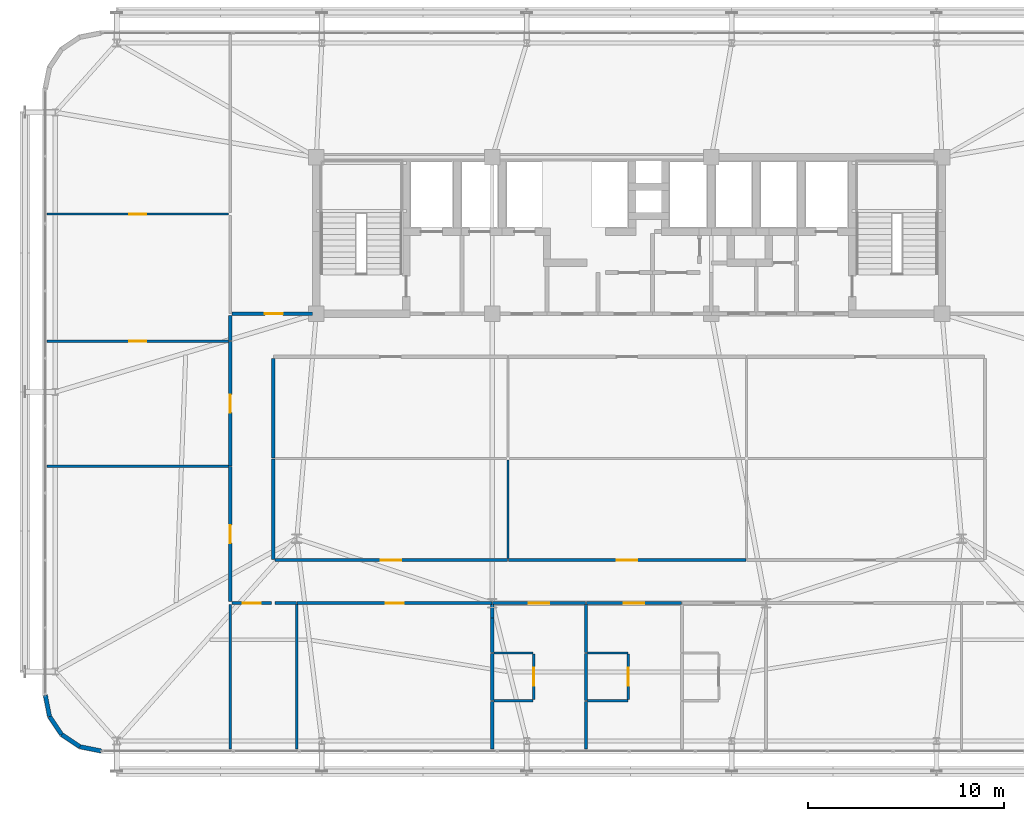
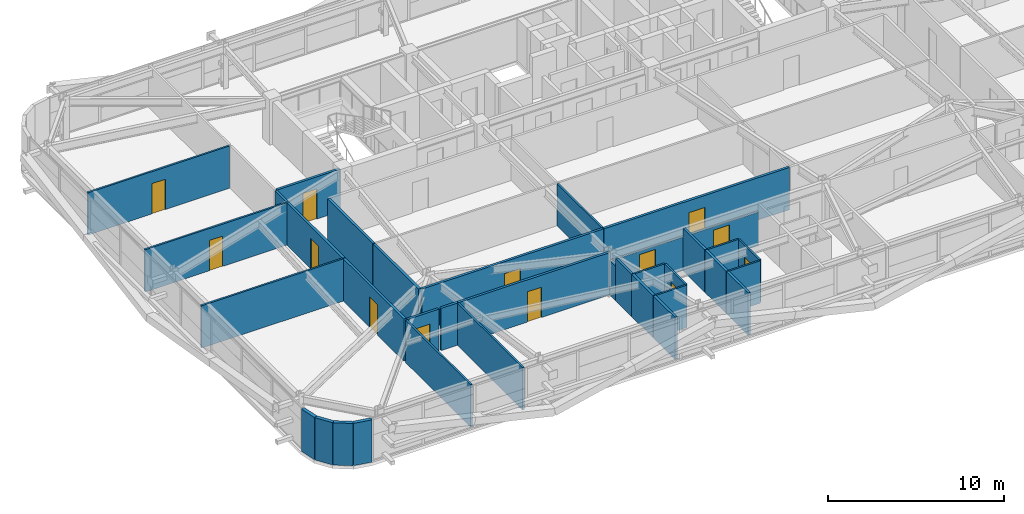
# One storey, part 52 of 59: 36 walls, 13 doors, 13 openings.
"""IFC4 building model written with IfcOpenShell, lengths in metres."""

from ifc_helpers import new_model, si_unit, direction, frame, frame_2d, origin, place, context, subcontext, project, spatial, rectangle, extrude, source, transform, mapped, material, layer, layer_set, type_object, element, fill, save


model = new_model("IFC4")

# Units and contexts
model_context = context("Model", 3, precision=1e-05, world=origin(), true_north=direction((0.0, 1.0)))
body_context = subcontext(model_context, "Body", "Model", "MODEL_VIEW")
ifc_project = project(units=[si_unit("LENGTHUNIT", "METRE"), si_unit("AREAUNIT", "SQUARE_METRE"), si_unit("VOLUMEUNIT", "CUBIC_METRE"), si_unit("PLANEANGLEUNIT", "RADIAN"), si_unit("MASSUNIT", "GRAM", prefix="KILO")], contexts=[model_context])

# Site, building, storey
site_placement = place(None, origin())
site = spatial("IfcSite", under=ifc_project, at=site_placement, CompositionType="ELEMENT")
building_placement = place(site_placement, origin())
building = spatial("IfcBuilding", under=site, at=building_placement, Name="Taldren Reach Tower", CompositionType="ELEMENT")
storey_placement = place(building_placement, frame((0.0, 0.0, 45.14990234375)))
storey = spatial("IfcBuildingStorey", under=building, at=storey_placement, Name="L13", CompositionType="ELEMENT", Elevation=45.14990234375)

# Walls
ifc_material_1 = material(Name="Pale Champagne Anodised Aluminium Cladding", Category="aluminium")
ifc_layer_1 = layer(ifc_material_1, 0.04, Name="Pale Champagne Anodised Aluminium Cladding", Category="aluminium")
ifc_material_2 = material(Name="Mineral Wool Acoustic Insulation", Category="insulation")
ifc_layer_2 = layer(ifc_material_2, 0.06, Name="Mineral Wool Acoustic Insulation", Category="insulation")
ifc_material_3 = material(Name="Steel Gr 350 (C350L0)", Category="steel")
ifc_layer_3 = layer(ifc_material_3, 0.12, Name="Steel Gr 350 (C350L0)", Category="steel")
ifc_layer_set_1 = layer_set([ifc_layer_1, ifc_layer_2, ifc_layer_3], Name="Pale Champagne Aluminium Cladding and Steel Gr 350 Stud Framing")
wall_type_1 = type_object("IfcWallType", Name="EW-CRN-220", PredefinedType="SOLIDWALL", material=ifc_layer_set_1)
shared_shape_1 = source(origin(), body_context, "Body", "SweptSolid", [
    extrude(rectangle(XDim=1.115966796875, YDim=0.219970703125, at=frame_2d((0.55810546875, 0.0))), origin(), (0.0, 0.0, 1.0), 2.93017578125),
])
for number, where, z_axis, x_axis, name in (
    (1, (5.139892578125, 4.5, 0.0), (0.0, 0.0, 1.0), (0.195148375659, -0.98077373103, 0.0), "Rounded-corner pale-metal facade wall L13-SW1"),
    (2, (5.357666015625, 3.405517578125, 0.0), (0.0, 0.0, 1.0), (0.555709556774, -0.83137650226, 0.0), "Rounded-corner pale-metal facade wall L13-SW2"),
    (3, (5.977783203125, 2.477783203125, 0.0), (0.0, 0.0, 1.0), (0.83137650226, -0.555709556774, 0.0), "Rounded-corner pale-metal facade wall L13-SW3"),
    (4, (6.905517578125, 1.857666015625, 0.0), (0.0, 0.0, 1.0), (0.98077373103, -0.195148375659, 0.0), "Rounded-corner pale-metal facade wall L13-SW4"),
):
    element("IfcWall", number, at=place(storey_placement, frame(where, z_axis=z_axis, x_axis=x_axis)), inside=storey, type_object=wall_type_1, Name=name, PredefinedType="SOLIDWALL", context=body_context, shape_type="MappedRepresentation", body=[
        mapped(shared_shape_1, transform((0.0, 0.0, 0.0), scale=1.0)),
    ])

# Wall, opening, door
ifc_material_4 = material(Name="Fire-Rated Acoustic Plasterboard Stud Wall", Category="gypsum")
ifc_layer_4 = layer(ifc_material_4, 0.159912109375)
ifc_layer_set_2 = layer_set([ifc_layer_4], Name="Fire-Rated Acoustic Plasterboard Stud Wall")
wall_type_2 = type_object("IfcWallType", Name="IW-FIRE-160", PredefinedType="PARTITIONING", material=ifc_layer_set_2)
shared_shape_2 = source(origin(), body_context, "Body", "SweptSolid", [
    extrude(rectangle(XDim=4.859375, YDim=0.159912109375, at=frame_2d((2.4296875, 0.0))), origin(), (0.0, 0.0, 1.0), 2.328125),
])
wall_1_placement = place(storey_placement, frame((37.6796875, 9.199951171875, 0.0), z_axis=(0.0, 0.0, 1.0), x_axis=(-1.0, 0.0, 0.0)))
wall_1 = element("IfcWall", 5, at=wall_1_placement, inside=storey, type_object=wall_type_2, Name="Interior Partition Wall W-INT-L13-083", PredefinedType="PARTITIONING", context=body_context, shape_type="MappedRepresentation", body=[
    mapped(shared_shape_2, transform((0.0, 0.0, 0.0), scale=1.0)),
])
shared_shape_3 = source(origin(), body_context, "Body", "SweptSolid", [
    extrude(rectangle(XDim=1.050048828125, YDim=2.10009765625, at=frame_2d((0.52490234375, 1.050048828125))), frame((0.0, 0.08984375, 0.0), z_axis=(0.0, -1.0, 0.0), x_axis=(1.0, 0.0, 0.0)), (0.0, 0.0, 1.0), 0.179931640625),
])
opening_1_placement = place(wall_1_placement, frame((1.90478515625, 0.0, 0.0)))
opening_1 = element("IfcOpeningElement", 6, at=opening_1_placement, cuts=wall_1, Name="Opening DF-105", PredefinedType="OPENING", context=body_context, shape_type="MappedRepresentation", body=[
    mapped(shared_shape_3, transform((0.0, 0.0, 0.0), scale=1.0)),
])
ifc_material_5 = material(Name="Fire-Rated Care and Stair Exit Door")
door_type_1 = type_object("IfcDoorType", Name="ID-FIRE-105", OperationType="NOTDEFINED", PredefinedType="DOOR", material=ifc_material_5)
shared_shape_4 = source(origin(), body_context, "Body", "SweptSolid", [
    extrude(rectangle(XDim=1.050048828125, YDim=2.10009765625, at=frame_2d((0.52490234375, 1.050048828125))), frame((0.0, 0.02490234375, 0.0), z_axis=(0.0, -1.0, 0.0), x_axis=(1.0, 0.0, 0.0)), (0.0, 0.0, 1.0), 0.050048828125),
])
door_1_placement = place(opening_1_placement, origin())
door_1 = element("IfcDoor", 7, at=door_1_placement, inside=storey, type_object=door_type_1, Name="Interior Door DR-L13-029", OperationType="SINGLE_SWING_RIGHT", OverallHeight=2.10009765625, OverallWidth=1.050048828125, PredefinedType="DOOR", context=body_context, shape_type="MappedRepresentation", body=[
    mapped(shared_shape_4, transform((0.0, 0.0, 0.0), scale=1.0)),
])
fill(opening_1, door_1)

# Wall
shared_shape_5 = source(origin(), body_context, "Body", "SweptSolid", [
    extrude(rectangle(XDim=5.15966796875, YDim=0.159912109375, at=frame_2d((2.579833984375, 0.0))), origin(), (0.0, 0.0, 1.0), 2.93017578125),
])
wall_2_placement = place(storey_placement, frame((16.800048828125, 16.579833984375, 0.0), z_axis=(0.0, 0.0, 1.0), x_axis=(0.0, -1.0, 0.0)))
element("IfcWall", 8, at=wall_2_placement, inside=storey, type_object=wall_type_2, Name="Interior Partition Wall W-INT-L13-060", PredefinedType="PARTITIONING", context=body_context, shape_type="MappedRepresentation", body=[
    mapped(shared_shape_5, transform((0.0, 0.0, 0.0), scale=1.0)),
])

# Wall, opening, door
shared_shape_6 = source(origin(), body_context, "Body", "SweptSolid", [
    extrude(rectangle(XDim=12.159423828125, YDim=0.159912109375, at=frame_2d((6.07958984375, 0.0))), origin(), (0.0, 0.0, 1.0), 2.93017578125),
])
wall_3_placement = place(storey_placement, frame((28.8203125, 11.39990234375, 0.0), z_axis=(0.0, 0.0, 1.0), x_axis=(1.0, 0.0, 0.0)))
wall_3 = element("IfcWall", 9, at=wall_3_placement, inside=storey, type_object=wall_type_2, Name="Interior Partition Wall W-INT-L13-078", PredefinedType="PARTITIONING", context=body_context, shape_type="MappedRepresentation", body=[
    mapped(shared_shape_6, transform((0.0, 0.0, 0.0), scale=1.0)),
])
opening_2_placement = place(wall_3_placement, frame((5.5546875, 0.0, 0.0)))
opening_2 = element("IfcOpeningElement", 10, at=opening_2_placement, cuts=wall_3, Name="Opening DF-105", PredefinedType="OPENING", context=body_context, shape_type="MappedRepresentation", body=[
    mapped(shared_shape_3, transform((0.0, 0.0, 0.0), scale=1.0)),
])
door_2_placement = place(opening_2_placement, origin())
door_2 = element("IfcDoor", 11, at=door_2_placement, inside=storey, type_object=door_type_1, Name="Interior Door DR-L13-025", OperationType="SINGLE_SWING_RIGHT", OverallHeight=2.10009765625, OverallWidth=1.050048828125, PredefinedType="DOOR", context=body_context, shape_type="MappedRepresentation", body=[
    mapped(shared_shape_4, transform((0.0, 0.0, 0.0), scale=1.0)),
])
fill(opening_2, door_2)

# Wall
shared_shape_7 = source(origin(), body_context, "Body", "SweptSolid", [
    extrude(rectangle(XDim=5.099853515625, YDim=0.159912109375, at=frame_2d((2.5498046875, 0.0))), origin(), (0.0, 0.0, 1.0), 2.93017578125),
])
wall_4_placement = place(storey_placement, frame((16.800048828125, 21.719970703125, 0.0), z_axis=(0.0, 0.0, 1.0), x_axis=(0.0, -1.0, 0.0)))
element("IfcWall", 12, at=wall_4_placement, inside=storey, type_object=wall_type_2, Name="Interior Partition Wall W-INT-L13-062", PredefinedType="PARTITIONING", context=body_context, shape_type="MappedRepresentation", body=[
    mapped(shared_shape_7, transform((0.0, 0.0, 0.0), scale=1.0)),
])

# Wall, opening, door
shared_shape_8 = source(origin(), body_context, "Body", "SweptSolid", [
    extrude(rectangle(XDim=2.0400390625, YDim=0.159912109375, at=frame_2d((1.02001953125, 0.0))), origin(), (0.0, 0.0, 1.0), 2.93017578125),
])
wall_5_placement = place(storey_placement, frame((16.719970703125, 9.199951171875, 0.0), z_axis=(0.0, 0.0, 1.0), x_axis=(-1.0, 0.0, 0.0)))
wall_5 = element("IfcWall", 13, at=wall_5_placement, inside=storey, type_object=wall_type_2, Name="Interior Partition Wall W-INT-L13-067", PredefinedType="PARTITIONING", context=body_context, shape_type="MappedRepresentation", body=[
    mapped(shared_shape_8, transform((0.0, 0.0, 0.0), scale=1.0)),
])
shared_shape_9 = source(origin(), body_context, "Body", "SweptSolid", [
    extrude(rectangle(XDim=0.919921875, YDim=2.10009765625, at=frame_2d((0.4599609375, 1.050048828125))), frame((0.0, 0.08984375, 0.0), z_axis=(0.0, -1.0, 0.0), x_axis=(1.0, 0.0, 0.0)), (0.0, 0.0, 1.0), 0.179931640625),
])
opening_3_placement = place(wall_5_placement, frame((0.56005859375, 0.0, 0.0)))
opening_3 = element("IfcOpeningElement", 14, at=opening_3_placement, cuts=wall_5, Name="Opening DI-092", PredefinedType="OPENING", context=body_context, shape_type="MappedRepresentation", body=[
    mapped(shared_shape_9, transform((0.0, 0.0, 0.0), scale=1.0)),
])
ifc_material_6 = material(Name="Solid-Core Timber Suite Door", Category="wood")
door_type_2 = type_object("IfcDoorType", Name="ID-INT-092", OperationType="NOTDEFINED", PredefinedType="DOOR", material=ifc_material_6)
shared_shape_10 = source(origin(), body_context, "Body", "SweptSolid", [
    extrude(rectangle(XDim=0.919921875, YDim=2.10009765625, at=frame_2d((0.4599609375, 1.050048828125))), frame((0.0, 0.02490234375, 0.0), z_axis=(0.0, -1.0, 0.0), x_axis=(1.0, 0.0, 0.0)), (0.0, 0.0, 1.0), 0.050048828125),
])
door_3_placement = place(opening_3_placement, origin())
door_3 = element("IfcDoor", 15, at=door_3_placement, inside=storey, type_object=door_type_2, Name="Interior Door DR-L13-017", OperationType="SINGLE_SWING_RIGHT", OverallHeight=2.10009765625, OverallWidth=0.919921875, PredefinedType="DOOR", context=body_context, shape_type="MappedRepresentation", body=[
    mapped(shared_shape_10, transform((0.0, 0.0, 0.0), scale=1.0)),
])
fill(opening_3, door_3)

shared_shape_11 = source(origin(), body_context, "Body", "SweptSolid", [
    extrude(rectangle(XDim=4.130126953125, YDim=0.159912109375, at=frame_2d((2.06494140625, 0.0))), origin(), (0.0, 0.0, 1.0), 2.93017578125),
])
wall_6_placement = place(storey_placement, frame((14.679931640625, 24.0, 0.0), z_axis=(0.0, 0.0, 1.0), x_axis=(1.0, 0.0, 0.0)))
wall_6 = element("IfcWall", 16, at=wall_6_placement, inside=storey, type_object=wall_type_2, Name="Interior Partition Wall W-INT-L13-075", PredefinedType="PARTITIONING", context=body_context, shape_type="MappedRepresentation", body=[
    mapped(shared_shape_11, transform((0.0, 0.0, 0.0), scale=1.0)),
])
opening_4_placement = place(wall_6_placement, frame((1.68994140625, 0.0, 0.0)))
opening_4 = element("IfcOpeningElement", 17, at=opening_4_placement, cuts=wall_6, Name="Opening DI-092", PredefinedType="OPENING", context=body_context, shape_type="MappedRepresentation", body=[
    mapped(shared_shape_9, transform((0.0, 0.0, 0.0), scale=1.0)),
])
door_4_placement = place(opening_4_placement, origin())
door_4 = element("IfcDoor", 18, at=door_4_placement, inside=storey, type_object=door_type_2, Name="Interior Door DR-L13-023", OperationType="SINGLE_SWING_RIGHT", OverallHeight=2.10009765625, OverallWidth=0.919921875, PredefinedType="DOOR", context=body_context, shape_type="MappedRepresentation", body=[
    mapped(shared_shape_10, transform((0.0, 0.0, 0.0), scale=1.0)),
])
fill(opening_4, door_4)

# Wall
shared_shape_12 = source(origin(), body_context, "Body", "SweptSolid", [
    extrude(rectangle(XDim=1.099853515625, YDim=0.159912109375, at=frame_2d((0.5498046875, 0.0))), origin(), (0.0, 0.0, 1.0), 2.93017578125),
])
wall_7_placement = place(storey_placement, frame((17.979736328125, 9.199951171875, 0.0), z_axis=(0.0, 0.0, 1.0), x_axis=(-1.0, 0.0, 0.0)))
element("IfcWall", 19, at=wall_7_placement, inside=storey, type_object=wall_type_2, Name="Interior Partition Wall W-INT-L13-080", PredefinedType="PARTITIONING", context=body_context, shape_type="MappedRepresentation", body=[
    mapped(shared_shape_12, transform((0.0, 0.0, 0.0), scale=1.0)),
])

# Wall, opening, door
shared_shape_13 = source(origin(), body_context, "Body", "SweptSolid", [
    extrude(rectangle(XDim=9.95947265625, YDim=0.159912109375, at=frame_2d((4.979736328125, 0.0))), origin(), (0.0, 0.0, 1.0), 2.93017578125),
])
wall_8_placement = place(storey_placement, frame((27.979736328125, 9.199951171875, 0.0), z_axis=(0.0, 0.0, 1.0), x_axis=(-1.0, 0.0, 0.0)))
wall_8 = element("IfcWall", 20, at=wall_8_placement, inside=storey, type_object=wall_type_2, Name="Interior Partition Wall W-INT-L13-081", PredefinedType="PARTITIONING", context=body_context, shape_type="MappedRepresentation", body=[
    mapped(shared_shape_13, transform((0.0, 0.0, 0.0), scale=1.0)),
])
opening_5_placement = place(wall_8_placement, frame((4.519775390625, 0.0, 0.0)))
opening_5 = element("IfcOpeningElement", 21, at=opening_5_placement, cuts=wall_8, Name="Opening DI-092", PredefinedType="OPENING", context=body_context, shape_type="MappedRepresentation", body=[
    mapped(shared_shape_9, transform((0.0, 0.0, 0.0), scale=1.0)),
])
door_5_placement = place(opening_5_placement, origin())
door_5 = element("IfcDoor", 22, at=door_5_placement, inside=storey, type_object=door_type_2, Name="Interior Door DR-L13-027", OperationType="SINGLE_SWING_RIGHT", OverallHeight=2.10009765625, OverallWidth=0.919921875, PredefinedType="DOOR", context=body_context, shape_type="MappedRepresentation", body=[
    mapped(shared_shape_10, transform((0.0, 0.0, 0.0), scale=1.0)),
])
fill(opening_5, door_5)

# Wall
ifc_material_7 = material(Name="Insulated Residential Stud Partition", Category="gypsum")
ifc_layer_5 = layer(ifc_material_7, 0.1201171875)
ifc_layer_set_3 = layer_set([ifc_layer_5], Name="Insulated Residential Stud Partition")
wall_type_3 = type_object("IfcWallType", Name="IW-PART-120", PredefinedType="PARTITIONING", material=ifc_layer_set_3)
shared_shape_14 = source(origin(), body_context, "Body", "SweptSolid", [
    extrude(rectangle(XDim=5.0400390625, YDim=0.1201171875, at=frame_2d((2.52001953125, 0.0))), origin(), (0.0, 0.0, 1.0), 2.93017578125),
])
wall_9_placement = place(storey_placement, frame((28.800048828125, 16.52001953125, 0.0), z_axis=(0.0, 0.0, 1.0), x_axis=(0.0, -1.0, 0.0)))
element("IfcWall", 23, at=wall_9_placement, inside=storey, type_object=wall_type_3, Name="Interior Partition Wall W-INT-L13-088", PredefinedType="PARTITIONING", context=body_context, shape_type="MappedRepresentation", body=[
    mapped(shared_shape_14, transform((0.0, 0.0, 0.0), scale=1.0)),
])

# Wall, opening, door
shared_shape_15 = source(origin(), body_context, "Body", "SweptSolid", [
    extrude(rectangle(XDim=2.330078125, YDim=0.1201171875, at=frame_2d((1.1650390625, 0.0))), origin(), (0.0, 0.0, 1.0), 2.93017578125),
])
wall_10_placement = place(storey_placement, frame((30.112060546875, 4.260009765625, 0.0), z_axis=(0.0, 0.0, 1.0), x_axis=(0.0, 1.0, 0.0)))
wall_10 = element("IfcWall", 24, at=wall_10_placement, inside=storey, type_object=wall_type_3, Name="Interior Partition Wall W-INT-L13-099", PredefinedType="PARTITIONING", context=body_context, shape_type="MappedRepresentation", body=[
    mapped(shared_shape_15, transform((0.0, 0.0, 0.0), scale=1.0)),
])
shared_shape_16 = source(origin(), body_context, "Body", "SweptSolid", [
    extrude(rectangle(XDim=0.919921875, YDim=2.10009765625, at=frame_2d((0.4599609375, 1.050048828125))), frame((0.0, 0.070068359375, 0.0), z_axis=(0.0, -1.0, 0.0), x_axis=(1.0, 0.0, 0.0)), (0.0, 0.0, 1.0), 0.14013671875),
])
opening_6_placement = place(wall_10_placement, frame((0.705078125, 0.0, 0.0)))
opening_6 = element("IfcOpeningElement", 25, at=opening_6_placement, cuts=wall_10, Name="Opening DI-092", PredefinedType="OPENING", context=body_context, shape_type="MappedRepresentation", body=[
    mapped(shared_shape_16, transform((0.0, 0.0, 0.0), scale=1.0)),
])
door_6_placement = place(opening_6_placement, origin())
door_6 = element("IfcDoor", 26, at=door_6_placement, inside=storey, type_object=door_type_2, Name="Interior Door DR-L13-032", OperationType="SINGLE_SWING_LEFT", OverallHeight=2.10009765625, OverallWidth=0.919921875, PredefinedType="DOOR", context=body_context, shape_type="MappedRepresentation", body=[
    mapped(shared_shape_10, transform((0.0, 0.0, 0.0), scale=1.0)),
])
fill(opening_6, door_6)

wall_11_placement = place(storey_placement, frame((34.9560546875, 4.260009765625, 0.0), z_axis=(0.0, 0.0, 1.0), x_axis=(0.0, 1.0, 0.0)))
wall_11 = element("IfcWall", 27, at=wall_11_placement, inside=storey, type_object=wall_type_3, Name="Interior Partition Wall W-INT-L13-105", PredefinedType="PARTITIONING", context=body_context, shape_type="MappedRepresentation", body=[
    mapped(shared_shape_15, transform((0.0, 0.0, 0.0), scale=1.0)),
])
opening_7_placement = place(wall_11_placement, frame((0.705078125, 0.0, 0.0)))
opening_7 = element("IfcOpeningElement", 28, at=opening_7_placement, cuts=wall_11, Name="Opening DI-092", PredefinedType="OPENING", context=body_context, shape_type="MappedRepresentation", body=[
    mapped(shared_shape_16, transform((0.0, 0.0, 0.0), scale=1.0)),
])
door_7_placement = place(opening_7_placement, origin())
door_7 = element("IfcDoor", 29, at=door_7_placement, inside=storey, type_object=door_type_2, Name="Interior Door DR-L13-033", OperationType="SINGLE_SWING_RIGHT", OverallHeight=2.10009765625, OverallWidth=0.919921875, PredefinedType="DOOR", context=body_context, shape_type="MappedRepresentation", body=[
    mapped(shared_shape_10, transform((0.0, 0.0, 0.0), scale=1.0)),
])
fill(opening_7, door_7)

# Walls
shared_shape_17 = source(origin(), body_context, "Body", "SweptSolid", [
    extrude(rectangle(XDim=2.44970703125, YDim=0.159912109375, at=frame_2d((1.224853515625, 0.0))), origin(), (0.0, 0.0, 1.0), 2.93017578125),
])
wall_12_placement = place(storey_placement, frame((28.0, 4.1796875, 0.0), z_axis=(0.0, 0.0, 1.0), x_axis=(0.0, -1.0, 0.0)))
element("IfcWall", 30, at=wall_12_placement, inside=storey, type_object=wall_type_2, Name="Interior Partition Wall W-INT-L13-096", PredefinedType="PARTITIONING", context=body_context, shape_type="MappedRepresentation", body=[
    mapped(shared_shape_17, transform((0.0, 0.0, 0.0), scale=1.0)),
])
shared_shape_18 = source(origin(), body_context, "Body", "SweptSolid", [
    extrude(rectangle(XDim=2.40966796875, YDim=0.159912109375, at=frame_2d((1.204833984375, 0.0))), origin(), (0.0, 0.0, 1.0), 2.93017578125),
])
for number, where, z_axis, x_axis, name in (
    (31, (28.0, 6.6298828125, 0.0), (0.0, 0.0, 1.0), (0.0, -1.0, 0.0), "Interior Partition Wall W-INT-L13-098"),
    (32, (32.800048828125, 6.6298828125, 0.0), (0.0, 0.0, 1.0), (0.0, -1.0, 0.0), "Interior Partition Wall W-INT-L13-104"),
):
    element("IfcWall", number, at=place(storey_placement, frame(where, z_axis=z_axis, x_axis=x_axis)), inside=storey, type_object=wall_type_2, Name=name, PredefinedType="PARTITIONING", context=body_context, shape_type="MappedRepresentation", body=[
        mapped(shared_shape_18, transform((0.0, 0.0, 0.0), scale=1.0)),
    ])
shared_shape_19 = source(origin(), body_context, "Body", "SweptSolid", [
    extrude(rectangle(XDim=2.01171875, YDim=0.1201171875, at=frame_2d((1.005859375, 0.0))), origin(), (0.0, 0.0, 1.0), 2.93017578125),
])
for number, where, z_axis, x_axis, name in (
    (33, (28.080078125, 4.199951171875, 0.0), (0.0, 0.0, 1.0), (1.0, 0.0, 0.0), "Interior Partition Wall W-INT-L13-100"),
    (34, (30.091796875, 6.64990234375, 0.0), (0.0, 0.0, 1.0), (-1.0, 0.0, 0.0), "Interior Partition Wall W-INT-L13-101"),
):
    element("IfcWall", number, at=place(storey_placement, frame(where, z_axis=z_axis, x_axis=x_axis)), inside=storey, type_object=wall_type_3, Name=name, PredefinedType="PARTITIONING", context=body_context, shape_type="MappedRepresentation", body=[
        mapped(shared_shape_19, transform((0.0, 0.0, 0.0), scale=1.0)),
    ])
shared_shape_20 = source(origin(), body_context, "Body", "SweptSolid", [
    extrude(rectangle(XDim=2.44775390625, YDim=0.159912109375, at=frame_2d((1.223876953125, 0.0))), origin(), (0.0, 0.0, 1.0), 2.93017578125),
])
for number, where, z_axis, x_axis, name in (
    (35, (32.800048828125, 4.1796875, 0.0), (0.0, 0.0, 1.0), (0.0, -1.0, 0.0), "Interior Partition Wall W-INT-L13-102"),
    (36, (32.800048828125, 9.117919921875, 0.0), (0.0, 0.0, 1.0), (0.0, -1.0, 0.0), "Interior Partition Wall W-INT-L13-103"),
):
    element("IfcWall", number, at=place(storey_placement, frame(where, z_axis=z_axis, x_axis=x_axis)), inside=storey, type_object=wall_type_2, Name=name, PredefinedType="PARTITIONING", context=body_context, shape_type="MappedRepresentation", body=[
        mapped(shared_shape_20, transform((0.0, 0.0, 0.0), scale=1.0)),
    ])
shared_shape_21 = source(origin(), body_context, "Body", "SweptSolid", [
    extrude(rectangle(XDim=9.2900390625, YDim=0.1201171875, at=frame_2d((4.64501953125, 0.0))), origin(), (0.0, 0.0, 1.0), 2.93017578125),
])
wall_13_placement = place(storey_placement, frame((5.22998046875, 16.199951171875, 0.0), z_axis=(0.0, 0.0, 1.0), x_axis=(1.0, 0.0, 0.0)))
element("IfcWall", 37, at=wall_13_placement, inside=storey, type_object=wall_type_3, Name="Interior Partition Wall W-INT-L13-117", PredefinedType="PARTITIONING", context=body_context, shape_type="MappedRepresentation", body=[
    mapped(shared_shape_21, transform((0.0, 0.0, 0.0), scale=1.0)),
])

# Wall, opening, door
wall_14_placement = place(storey_placement, frame((5.22998046875, 22.60009765625, 0.0), z_axis=(0.0, 0.0, 1.0), x_axis=(1.0, 0.0, 0.0)))
wall_14 = element("IfcWall", 38, at=wall_14_placement, inside=storey, type_object=wall_type_3, Name="Interior Partition Wall W-INT-L13-118", PredefinedType="PARTITIONING", context=body_context, shape_type="MappedRepresentation", body=[
    mapped(shared_shape_21, transform((0.0, 0.0, 0.0), scale=1.0)),
])
shared_shape_22 = source(origin(), body_context, "Body", "SweptSolid", [
    extrude(rectangle(XDim=0.860107421875, YDim=2.10009765625, at=frame_2d((0.43017578125, 1.050048828125))), frame((0.0, 0.070068359375, 0.0), z_axis=(0.0, -1.0, 0.0), x_axis=(1.0, 0.0, 0.0)), (0.0, 0.0, 1.0), 0.14013671875),
])
opening_8_placement = place(wall_14_placement, frame((4.215087890625, 0.0, 0.0)))
opening_8 = element("IfcOpeningElement", 39, at=opening_8_placement, cuts=wall_14, Name="Opening DI-086", PredefinedType="OPENING", context=body_context, shape_type="MappedRepresentation", body=[
    mapped(shared_shape_22, transform((0.0, 0.0, 0.0), scale=1.0)),
])
ifc_material_8 = material(Name="Timber Bathroom Door", Category="wood")
door_type_3 = type_object("IfcDoorType", Name="ID-INT-086", OperationType="NOTDEFINED", PredefinedType="DOOR", material=ifc_material_8)
shared_shape_23 = source(origin(), body_context, "Body", "SweptSolid", [
    extrude(rectangle(XDim=0.860107421875, YDim=2.10009765625, at=frame_2d((0.43017578125, 1.050048828125))), frame((0.0, 0.02490234375, 0.0), z_axis=(0.0, -1.0, 0.0), x_axis=(1.0, 0.0, 0.0)), (0.0, 0.0, 1.0), 0.050048828125),
])
door_8_placement = place(opening_8_placement, frame((0.860107421875, 0.0, 0.0), z_axis=(0.0, 0.0, 1.0), x_axis=(-1.0, 0.0, 0.0)))
door_8 = element("IfcDoor", 40, at=door_8_placement, inside=storey, type_object=door_type_3, Name="Interior Door DR-L13-036", OperationType="SINGLE_SWING_RIGHT", OverallHeight=2.10009765625, OverallWidth=0.860107421875, PredefinedType="DOOR", context=body_context, shape_type="MappedRepresentation", body=[
    mapped(shared_shape_23, transform((0.0, 0.0, 0.0), scale=1.0)),
])
fill(opening_8, door_8)

wall_15_placement = place(storey_placement, frame((5.22998046875, 29.10009765625, 0.0), z_axis=(0.0, 0.0, 1.0), x_axis=(1.0, 0.0, 0.0)))
wall_15 = element("IfcWall", 41, at=wall_15_placement, inside=storey, type_object=wall_type_3, Name="Interior Partition Wall W-INT-L13-119", PredefinedType="PARTITIONING", context=body_context, shape_type="MappedRepresentation", body=[
    mapped(shared_shape_21, transform((0.0, 0.0, 0.0), scale=1.0)),
])
opening_9_placement = place(wall_15_placement, frame((4.215087890625, 0.0, 0.0)))
opening_9 = element("IfcOpeningElement", 42, at=opening_9_placement, cuts=wall_15, Name="Opening DI-086", PredefinedType="OPENING", context=body_context, shape_type="MappedRepresentation", body=[
    mapped(shared_shape_22, transform((0.0, 0.0, 0.0), scale=1.0)),
])
door_9_placement = place(opening_9_placement, frame((0.860107421875, 0.0, 0.0), z_axis=(0.0, 0.0, 1.0), x_axis=(-1.0, 0.0, 0.0)))
door_9 = element("IfcDoor", 43, at=door_9_placement, inside=storey, type_object=door_type_3, Name="Interior Door DR-L13-037", OperationType="SINGLE_SWING_LEFT", OverallHeight=2.10009765625, OverallWidth=0.860107421875, PredefinedType="DOOR", context=body_context, shape_type="MappedRepresentation", body=[
    mapped(shared_shape_23, transform((0.0, 0.0, 0.0), scale=1.0)),
])
fill(opening_9, door_9)

shared_shape_24 = source(origin(), body_context, "Body", "SweptSolid", [
    extrude(rectangle(XDim=6.899658203125, YDim=0.159912109375, at=frame_2d((3.44970703125, 0.0))), origin(), (0.0, 0.0, 1.0), 2.93017578125),
])
wall_16_placement = place(storey_placement, frame((14.60009765625, 9.280029296875, 0.0), z_axis=(0.0, 0.0, 1.0), x_axis=(0.0, 1.0, 0.0)))
wall_16 = element("IfcWall", 44, at=wall_16_placement, inside=storey, type_object=wall_type_2, Name="Interior Partition Wall W-INT-L13-069", PredefinedType="PARTITIONING", context=body_context, shape_type="MappedRepresentation", body=[
    mapped(shared_shape_24, transform((0.0, 0.0, 0.0), scale=1.0)),
])
opening_10_placement = place(wall_16_placement, frame((2.989990234375, 0.0, 0.0)))
opening_10 = element("IfcOpeningElement", 45, at=opening_10_placement, cuts=wall_16, Name="Opening DI-092", PredefinedType="OPENING", context=body_context, shape_type="MappedRepresentation", body=[
    mapped(shared_shape_9, transform((0.0, 0.0, 0.0), scale=1.0)),
])
door_10_placement = place(opening_10_placement, origin())
door_10 = element("IfcDoor", 46, at=door_10_placement, inside=storey, type_object=door_type_2, Name="Interior Door DR-L13-019", OperationType="SINGLE_SWING_RIGHT", OverallHeight=2.10009765625, OverallWidth=0.919921875, PredefinedType="DOOR", context=body_context, shape_type="MappedRepresentation", body=[
    mapped(shared_shape_10, transform((0.0, 0.0, 0.0), scale=1.0)),
])
fill(opening_10, door_10)

shared_shape_25 = source(origin(), body_context, "Body", "SweptSolid", [
    extrude(rectangle(XDim=6.359619140625, YDim=0.159912109375, at=frame_2d((3.1796875, 0.0))), origin(), (0.0, 0.0, 1.0), 2.93017578125),
])
wall_17_placement = place(storey_placement, frame((14.60009765625, 16.22021484375, 0.0), z_axis=(0.0, 0.0, 1.0), x_axis=(0.0, 1.0, 0.0)))
wall_17 = element("IfcWall", 47, at=wall_17_placement, inside=storey, type_object=wall_type_2, Name="Interior Partition Wall W-INT-L13-070", PredefinedType="PARTITIONING", context=body_context, shape_type="MappedRepresentation", body=[
    mapped(shared_shape_25, transform((0.0, 0.0, 0.0), scale=1.0)),
])
opening_11_placement = place(wall_17_placement, frame((2.7197265625, 0.0, 0.0)))
opening_11 = element("IfcOpeningElement", 48, at=opening_11_placement, cuts=wall_17, Name="Opening DI-092", PredefinedType="OPENING", context=body_context, shape_type="MappedRepresentation", body=[
    mapped(shared_shape_9, transform((0.0, 0.0, 0.0), scale=1.0)),
])
door_11_placement = place(opening_11_placement, origin())
door_11 = element("IfcDoor", 49, at=door_11_placement, inside=storey, type_object=door_type_2, Name="Interior Door DR-L13-020", OperationType="SINGLE_SWING_LEFT", OverallHeight=2.10009765625, OverallWidth=0.919921875, PredefinedType="DOOR", context=body_context, shape_type="MappedRepresentation", body=[
    mapped(shared_shape_10, transform((0.0, 0.0, 0.0), scale=1.0)),
])
fill(opening_11, door_11)

# Wall
shared_shape_26 = source(origin(), body_context, "Body", "SweptSolid", [
    extrude(rectangle(XDim=1.2998046875, YDim=0.159912109375, at=frame_2d((0.64990234375, 0.0))), origin(), (0.0, 0.0, 1.0), 2.93017578125),
])
wall_18_placement = place(storey_placement, frame((14.60009765625, 22.6201171875, 0.0), z_axis=(0.0, 0.0, 1.0), x_axis=(0.0, 1.0, 0.0)))
element("IfcWall", 50, at=wall_18_placement, inside=storey, type_object=wall_type_2, Name="Interior Partition Wall W-INT-L13-071", PredefinedType="PARTITIONING", context=body_context, shape_type="MappedRepresentation", body=[
    mapped(shared_shape_26, transform((0.0, 0.0, 0.0), scale=1.0)),
])

# Wall, opening, door
shared_shape_27 = source(origin(), body_context, "Body", "SweptSolid", [
    extrude(rectangle(XDim=11.89990234375, YDim=0.159912109375, at=frame_2d((5.949951171875, 0.0))), origin(), (0.0, 0.0, 1.0), 2.93017578125),
])
wall_19_placement = place(storey_placement, frame((16.8798828125, 11.39990234375, 0.0), z_axis=(0.0, 0.0, 1.0), x_axis=(1.0, 0.0, 0.0)))
wall_19 = element("IfcWall", 51, at=wall_19_placement, inside=storey, type_object=wall_type_2, Name="Interior Partition Wall W-INT-L13-077", PredefinedType="PARTITIONING", context=body_context, shape_type="MappedRepresentation", body=[
    mapped(shared_shape_27, transform((0.0, 0.0, 0.0), scale=1.0)),
])
opening_12_placement = place(wall_19_placement, frame((5.4248046875, 0.0, 0.0)))
opening_12 = element("IfcOpeningElement", 52, at=opening_12_placement, cuts=wall_19, Name="Opening DF-105", PredefinedType="OPENING", context=body_context, shape_type="MappedRepresentation", body=[
    mapped(shared_shape_3, transform((0.0, 0.0, 0.0), scale=1.0)),
])
door_12_placement = place(opening_12_placement, origin())
door_12 = element("IfcDoor", 53, at=door_12_placement, inside=storey, type_object=door_type_1, Name="Interior Door DR-L13-024", OperationType="SINGLE_SWING_LEFT", OverallHeight=2.10009765625, OverallWidth=1.050048828125, PredefinedType="DOOR", context=body_context, shape_type="MappedRepresentation", body=[
    mapped(shared_shape_4, transform((0.0, 0.0, 0.0), scale=1.0)),
])
fill(opening_12, door_12)

shared_shape_28 = source(origin(), body_context, "Body", "SweptSolid", [
    extrude(rectangle(XDim=4.759521484375, YDim=0.159912109375, at=frame_2d((2.3798828125, 0.0))), origin(), (0.0, 0.0, 1.0), 2.328125),
])
wall_20_placement = place(storey_placement, frame((32.77978515625, 9.199951171875, 0.0), z_axis=(0.0, 0.0, 1.0), x_axis=(-1.0, 0.0, 0.0)))
wall_20 = element("IfcWall", 54, at=wall_20_placement, inside=storey, type_object=wall_type_2, Name="Interior Partition Wall W-INT-L13-082", PredefinedType="PARTITIONING", context=body_context, shape_type="MappedRepresentation", body=[
    mapped(shared_shape_28, transform((0.0, 0.0, 0.0), scale=1.0)),
])
opening_13_placement = place(wall_20_placement, frame((1.854736328125, 0.0, 0.0)))
opening_13 = element("IfcOpeningElement", 55, at=opening_13_placement, cuts=wall_20, Name="Opening DF-105", PredefinedType="OPENING", context=body_context, shape_type="MappedRepresentation", body=[
    mapped(shared_shape_3, transform((0.0, 0.0, 0.0), scale=1.0)),
])
door_13_placement = place(opening_13_placement, origin())
door_13 = element("IfcDoor", 56, at=door_13_placement, inside=storey, type_object=door_type_1, Name="Interior Door DR-L13-028", OperationType="SINGLE_SWING_LEFT", OverallHeight=2.10009765625, OverallWidth=1.050048828125, PredefinedType="DOOR", context=body_context, shape_type="MappedRepresentation", body=[
    mapped(shared_shape_4, transform((0.0, 0.0, 0.0), scale=1.0)),
])
fill(opening_13, door_13)

# Walls
shared_shape_29 = source(origin(), body_context, "Body", "SweptSolid", [
    extrude(rectangle(XDim=7.385986328125, YDim=0.1201171875, at=frame_2d((3.69287109375, 0.0))), origin(), (0.0, 0.0, 1.0), 2.93017578125),
])
for number, where, z_axis, x_axis, name in (
    (57, (18.0, 9.117919921875, 0.0), (0.0, 0.0, 1.0), (0.0, -1.0, 0.0), "Interior Partition Wall W-INT-L13-094"),
    (58, (14.60009765625, 1.73193359375, 0.0), (0.0, 0.0, 1.0), (0.0, 1.0, 0.0), "Interior Partition Wall W-INT-L13-095"),
):
    element("IfcWall", number, at=place(storey_placement, frame(where, z_axis=z_axis, x_axis=x_axis)), inside=storey, type_object=wall_type_3, Name=name, PredefinedType="PARTITIONING", context=body_context, shape_type="MappedRepresentation", body=[
        mapped(shared_shape_29, transform((0.0, 0.0, 0.0), scale=1.0)),
    ])
shared_shape_30 = source(origin(), body_context, "Body", "SweptSolid", [
    extrude(rectangle(XDim=0.672119140625, YDim=0.159912109375, at=frame_2d((0.3359375, 0.0))), origin(), (0.0, 0.0, 1.0), 2.397216796875),
])
wall_21_placement = place(storey_placement, frame((28.0, 9.1201171875, 0.0), z_axis=(0.0, 0.0, 1.0), x_axis=(0.0, -1.0, 0.0)))
element("IfcWall", 59, at=wall_21_placement, inside=storey, type_object=wall_type_2, Name="Interior Partition Wall W-INT-L13-097", PredefinedType="PARTITIONING", context=body_context, shape_type="MappedRepresentation", body=[
    mapped(shared_shape_30, transform((0.0, 0.0, 0.0), scale=1.0)),
])
shared_shape_31 = source(origin(), body_context, "Body", "SweptSolid", [
    extrude(rectangle(XDim=1.77783203125, YDim=0.159912109375, at=frame_2d((0.888916015625, 0.0))), origin(), (0.0, 0.0, 1.0), 2.93017578125),
])
wall_22_placement = place(storey_placement, frame((28.0, 8.447998046875, 0.0), z_axis=(0.0, 0.0, 1.0), x_axis=(0.0, -1.0, 0.0)))
element("IfcWall", 60, at=wall_22_placement, inside=storey, type_object=wall_type_2, Name="Interior Partition Wall W-INT-L13-097 part 2", PredefinedType="PARTITIONING", context=body_context, shape_type="MappedRepresentation", body=[
    mapped(shared_shape_31, transform((0.0, 0.0, 0.0), scale=1.0)),
])
shared_shape_32 = source(origin(), body_context, "Body", "SweptSolid", [
    extrude(rectangle(XDim=2.055908203125, YDim=0.1201171875, at=frame_2d((1.02783203125, 0.0))), origin(), (0.0, 0.0, 1.0), 2.93017578125),
])
for number, where, z_axis, x_axis, name in (
    (61, (32.8798828125, 4.199951171875, 0.0), (0.0, 0.0, 1.0), (1.0, 0.0, 0.0), "Interior Partition Wall W-INT-L13-106"),
    (62, (34.935791015625, 6.64990234375, 0.0), (0.0, 0.0, 1.0), (-1.0, 0.0, 0.0), "Interior Partition Wall W-INT-L13-107"),
):
    element("IfcWall", number, at=place(storey_placement, frame(where, z_axis=z_axis, x_axis=x_axis)), inside=storey, type_object=wall_type_3, Name=name, PredefinedType="PARTITIONING", context=body_context, shape_type="MappedRepresentation", body=[
        mapped(shared_shape_32, transform((0.0, 0.0, 0.0), scale=1.0)),
    ])

save(model, "model.ifc")
